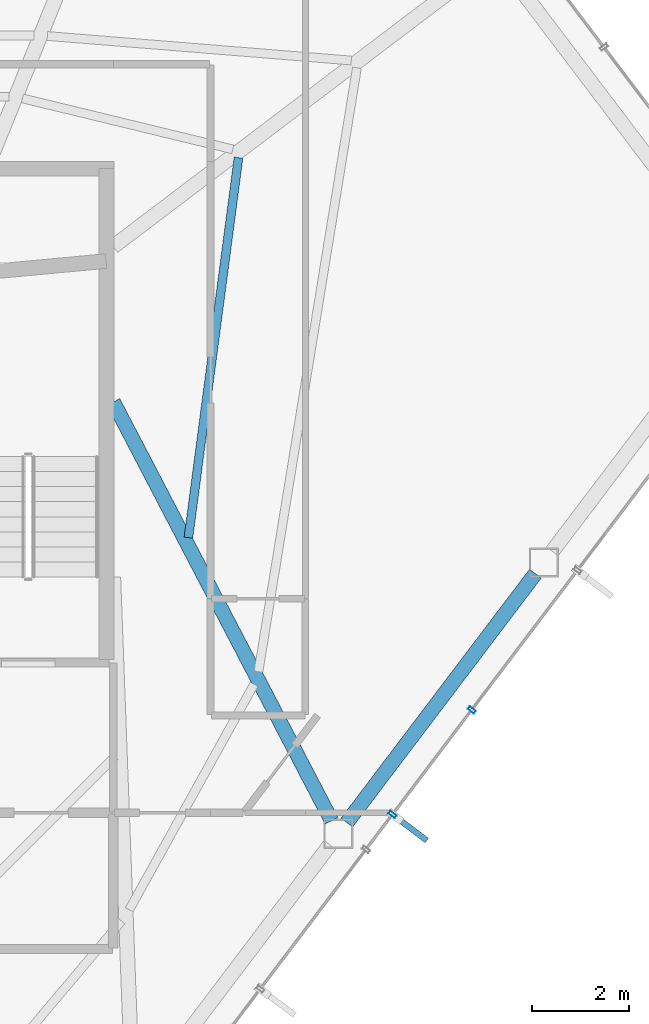
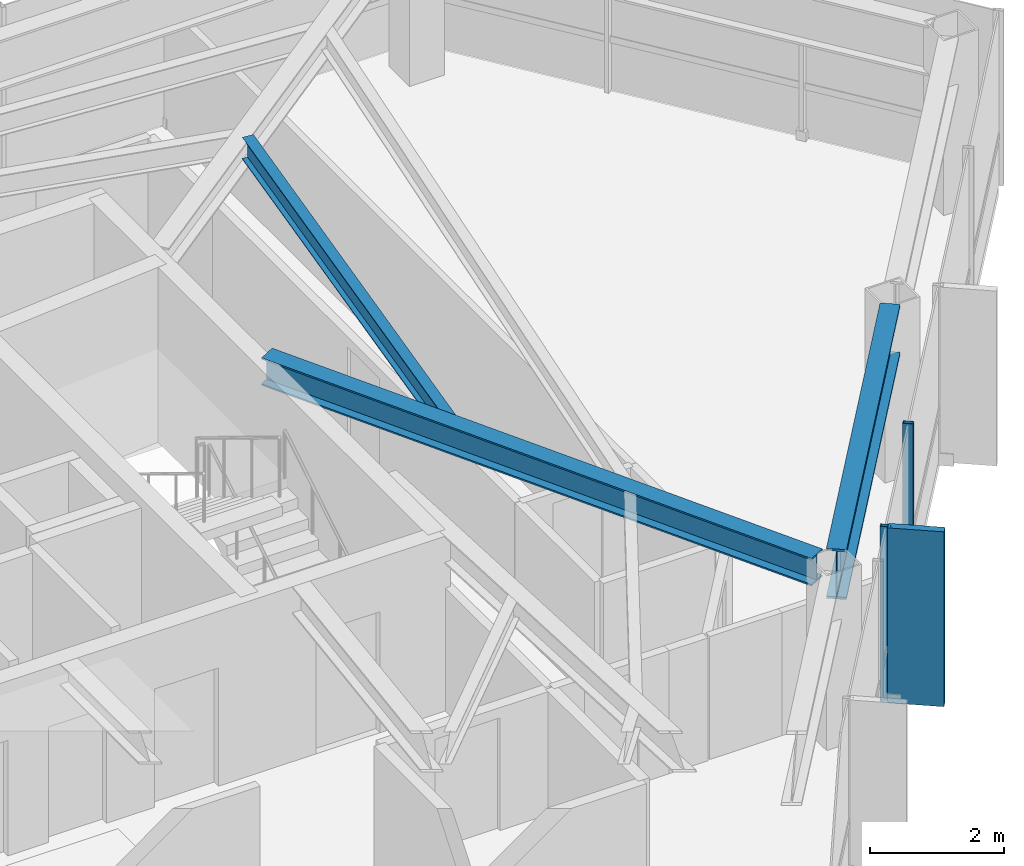
# One storey, part 16 of 25: 3 beams, 3 members, 1 element without a shape of its own.
"""IFC4 building model written with IfcOpenShell, lengths in metres."""

from ifc_helpers import new_model, si_unit, direction, frame, origin, origin_2d, place, context, subcontext, project, spatial, rectangle, hollow_rectangle, i_section, extrude, material, layer, layer_set, material_profile, profile_set, type_object, element, aggregate, save


model = new_model("IFC4")

# Units and contexts
model_context = context("Model", 3, precision=1e-05, world=origin(), true_north=direction((0.0, 1.0)))
body_context = subcontext(model_context, "Body", "Model", "MODEL_VIEW")
ifc_project = project(units=[si_unit("LENGTHUNIT", "METRE"), si_unit("AREAUNIT", "SQUARE_METRE"), si_unit("VOLUMEUNIT", "CUBIC_METRE"), si_unit("PLANEANGLEUNIT", "RADIAN"), si_unit("MASSUNIT", "GRAM", prefix="KILO")], contexts=[model_context])

# Site, building, storey
site_placement = place(None, origin())
site = spatial("IfcSite", under=ifc_project, at=site_placement, CompositionType="ELEMENT")
building_placement = place(site_placement, origin())
building = spatial("IfcBuilding", under=site, at=building_placement, Name="Zarrinselat Tower", CompositionType="ELEMENT")
storey_placement = place(building_placement, frame((0.0, 0.0, 212.159912109375)))
storey = spatial("IfcBuildingStorey", under=building, at=storey_placement, Name="L52", CompositionType="ELEMENT", Elevation=212.159912109375)

# Beams
ifc_material_1 = material(Name="Steel S355J2", Category="steel")
ifc_material_profile_1 = material_profile(ifc_material_1, i_section(OverallWidth=0.300048828125, OverallDepth=0.5, WebThickness=0.014404296875, FlangeThickness=0.028076171875, at=origin_2d()), Name="HEB 500")
ifc_profile_set_1 = profile_set([ifc_material_profile_1], Name="Steel S355J2")
beam_type_1 = type_object("IfcBeamType", Name="BM-HEB500", PredefinedType="BEAM", material=ifc_profile_set_1)
beam_1_placement = place(storey_placement, frame((48.35009765625, 38.60009765625, 2.93017578125), z_axis=(0.462230966052, -0.886759569457, 0.0), x_axis=(0.886759569457, 0.462230966052, 0.0)))
element("IfcBeam", 1, at=beam_1_placement, inside=storey, type_object=beam_type_1, Name="L52 Radial Primary Girder RG13", PredefinedType="BEAM", context=body_context, shape_type="SweptSolid", body=[
    extrude(i_section(OverallWidth=0.300048828125, OverallDepth=0.5, WebThickness=0.014404296875, FlangeThickness=0.028076171875, at=origin_2d()), origin(), (0.0, 0.0, 1.0), 9.713134765625),
])
ifc_material_2 = material(Name="Steel S460M", Category="steel")
ifc_material_profile_2 = material_profile(ifc_material_2, i_section(OverallWidth=0.302001953125, OverallDepth=0.909912109375, WebThickness=0.02099609375, FlangeThickness=0.0400390625, at=origin_2d()), Name="HEM 900")
ifc_profile_set_2 = profile_set([ifc_material_profile_2], Name="Steel S460M")
beam_type_2 = type_object("IfcBeamType", Name="BM-HEM900", PredefinedType="BEAM", material=ifc_profile_set_2)
beam_2_placement = place(storey_placement, frame((53.1533203125, 29.94873046875, 2.72509765625), z_axis=(0.603878909559, 0.797076070768, 0.0), x_axis=(-0.797076070768, 0.603878909559, 0.0)))
element("IfcBeam", 2, at=beam_2_placement, inside=storey, type_object=beam_type_2, Name="L52 Perimeter Spandrel Girder SP13", PredefinedType="BEAM", context=body_context, shape_type="SweptSolid", body=[
    extrude(i_section(OverallWidth=0.302001953125, OverallDepth=0.909912109375, WebThickness=0.02099609375, FlangeThickness=0.0400390625, at=origin_2d()), origin(), (0.0, 0.0, 1.0), 6.42333984375),
])
ifc_material_3 = material(Name="Steel S355J2", Category="steel")
ifc_material_profile_3 = material_profile(ifc_material_3, i_section(OverallWidth=0.179931640625, OverallDepth=0.39990234375, WebThickness=0.008544921875, FlangeThickness=0.013427734375, at=origin_2d()), Name="IPE 400")
ifc_profile_set_3 = profile_set([ifc_material_profile_3], Name="Steel S355J2")
beam_type_3 = type_object("IfcBeamType", Name="BM-IPE400", PredefinedType="JOIST", material=ifc_profile_set_3)
beam_3_placement = place(storey_placement, frame((49.894775390625, 35.810302734375, 2.97998046875), z_axis=(0.130690837588, 0.991423171492, 0.0), x_axis=(-0.991423171492, 0.130690837588, 0.0)))
element("IfcBeam", 3, at=beam_3_placement, inside=storey, type_object=beam_type_3, Name="L52 Composite Floor Joist 5-2", PredefinedType="JOIST", context=body_context, shape_type="SweptSolid", body=[
    extrude(i_section(OverallWidth=0.179931640625, OverallDepth=0.39990234375, WebThickness=0.008544921875, FlangeThickness=0.013427734375, at=origin_2d()), origin(), (0.0, 0.0, 1.0), 7.88330078125),
])

# Curtain wall, members
ifc_material_4 = material(Name="Extruded Aluminium Alloy EN AW-6063 T6", Category="aluminium")
ifc_layer = layer(ifc_material_4, 0.169921875)
ifc_layer_set = layer_set([ifc_layer], Name="Extruded Aluminium Alloy EN AW-6063 T6")
curtain_wall_type = type_object("IfcCurtainWallType", Name="CWS-RES", PredefinedType="NOTDEFINED", material=ifc_layer_set)
curtain_wall_placement = place(storey_placement, origin())
curtain_wall = element("IfcCurtainWall", 4, at=curtain_wall_placement, inside=storey, type_object=curtain_wall_type, Name="L52 Unitised Curtain Wall CW-L52-E05", PredefinedType="NOTDEFINED")
ifc_material_5 = material(Name="Extruded Aluminium Alloy EN AW-6063 T6", Category="aluminium")
ifc_material_profile_4 = material_profile(ifc_material_5, hollow_rectangle(XDim=0.070068359375, YDim=0.159912109375, WallThickness=0.00390625, at=origin_2d()), Name="RHS 160x70x4")
ifc_profile_set_4 = profile_set([ifc_material_profile_4], Name="Extruded Aluminium Alloy EN AW-6063 T6")
member_type_1 = type_object("IfcMemberType", Name="MEM-CW-MUL2", PredefinedType="MULLION", material=ifc_profile_set_4)
member_1_placement = place(storey_placement, frame((54.093994140625, 30.11376953125, 0.0), z_axis=(0.0, 0.0, 1.0), x_axis=(0.603859492128, 0.797090781384, 0.0)))
member_1 = element("IfcMember", 5, at=member_1_placement, type_object=member_type_1, Name="CW-L52-E05 Mullion 5", PredefinedType="MULLION", context=body_context, shape_type="SweptSolid", body=[
    extrude(hollow_rectangle(XDim=0.070068359375, YDim=0.159912109375, WallThickness=0.00390625, at=origin_2d()), origin(), (0.0, 0.0, 1.0), 3.18017578125),
])
member_2_placement = place(storey_placement, frame((55.7236328125, 32.264892578125, 0.0), z_axis=(0.0, 0.0, 1.0), x_axis=(0.603859492128, 0.797090781384, 0.0)))
member_2 = element("IfcMember", 6, at=member_2_placement, type_object=member_type_1, Name="CW-L52-E05 Mullion 6", PredefinedType="MULLION", context=body_context, shape_type="SweptSolid", body=[
    extrude(hollow_rectangle(XDim=0.070068359375, YDim=0.159912109375, WallThickness=0.00390625, at=origin_2d()), origin(), (0.0, 0.0, 1.0), 3.18017578125),
])
ifc_material_6 = material(Name="Honed Cream Travertine Stone", Category="masonry")
ifc_material_profile_5 = material_profile(ifc_material_6, rectangle(XDim=0.1201171875, YDim=0.85009765625, at=origin_2d()), Name="FIN 850x120")
ifc_profile_set_5 = profile_set([ifc_material_profile_5], Name="Honed Cream Travertine Stone")
member_type_2 = type_object("IfcMemberType", Name="MEM-STONE-FIN", PredefinedType="USERDEFINED", material=ifc_profile_set_5)
member_3_placement = place(storey_placement, frame((54.460693359375, 29.8359375, 0.0), z_axis=(0.0, 0.0, 1.0), x_axis=(-0.603859492128, -0.797090781384, 0.0)))
member_3 = element("IfcMember", 7, at=member_3_placement, type_object=member_type_2, Name="L52 Stone Shading Fin CW-L52-E05-05", ObjectType="FIN", PredefinedType="USERDEFINED", context=body_context, shape_type="SweptSolid", body=[
    extrude(rectangle(XDim=0.1201171875, YDim=0.85009765625, at=origin_2d()), origin(), (0.0, 0.0, 1.0), 3.18017578125),
])
aggregate(curtain_wall, [member_1, member_3, member_2])

save(model, "model.ifc")
